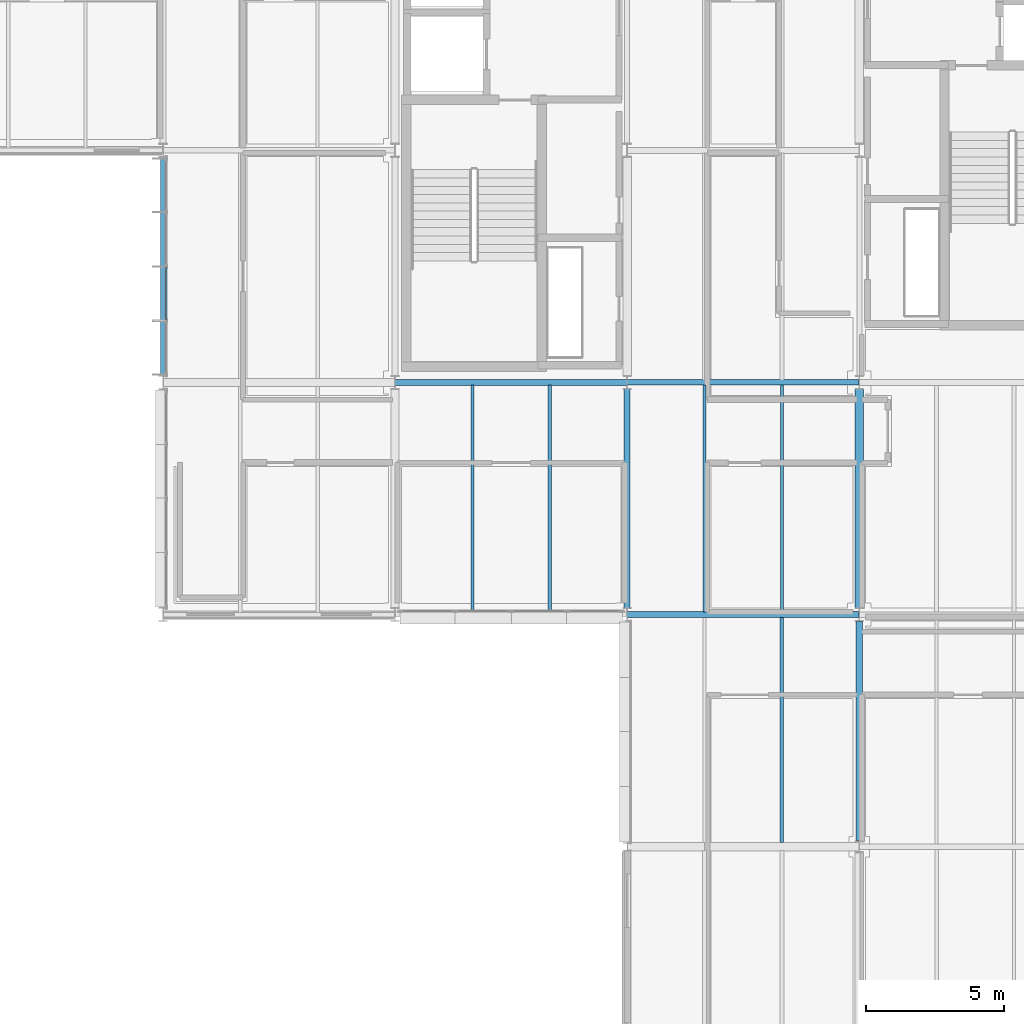
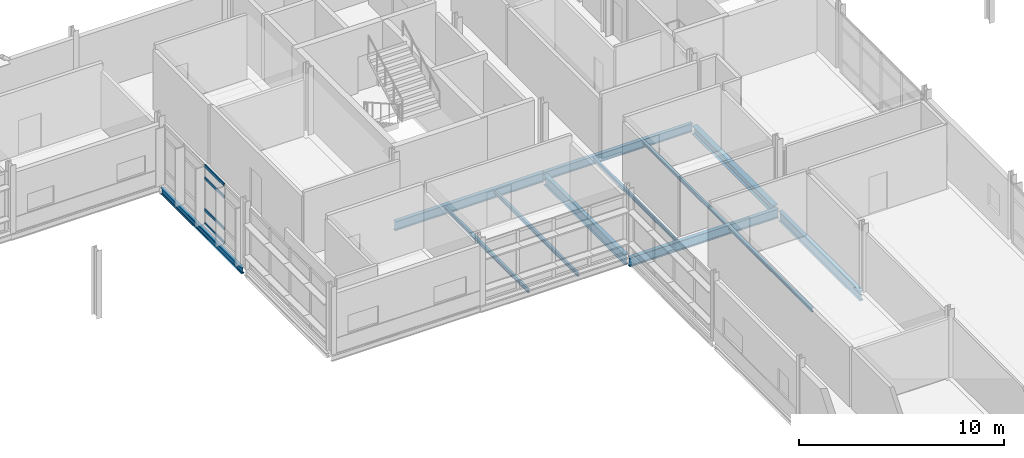
# One storey, part 91 of 131: 12 beams, 4 members, 1 element without a shape of its own.
"""IFC4 building model written with IfcOpenShell, lengths in metres."""

from ifc_helpers import new_model, si_unit, direction, frame, origin, origin_2d, place, context, subcontext, project, spatial, hollow_rectangle, i_section, extrude, material, material_profile, profile_set, type_object, element, aggregate, save


model = new_model("IFC4")

# Units and contexts
model_context = context("Model", 3, precision=1e-05, world=origin(), true_north=direction((0.0, 1.0)))
body_context = subcontext(model_context, "Body", "Model", "MODEL_VIEW")
ifc_project = project(units=[si_unit("LENGTHUNIT", "METRE"), si_unit("AREAUNIT", "SQUARE_METRE"), si_unit("VOLUMEUNIT", "CUBIC_METRE"), si_unit("PLANEANGLEUNIT", "RADIAN"), si_unit("MASSUNIT", "GRAM", prefix="KILO")], contexts=[model_context])

# Site, building, storey
site_placement = place(None, origin())
site = spatial("IfcSite", under=ifc_project, at=site_placement, CompositionType="ELEMENT")
building_placement = place(site_placement, origin())
building = spatial("IfcBuilding", under=site, at=building_placement, Name="Mersafa Astral City Hall", CompositionType="ELEMENT")
storey_placement = place(building_placement, frame((0.0, 0.0, 13.949951171875)))
storey = spatial("IfcBuildingStorey", under=building, at=storey_placement, Name="L03", CompositionType="ELEMENT", Elevation=13.949951171875)

# Curtain wall, members
ifc_material_1 = material(Name="Anodised bronze aluminium framing", Category="aluminium")
curtain_wall_type = type_object("IfcCurtainWallType", Name="ENV-CW-5", PredefinedType="USERDEFINED", material=ifc_material_1)
curtain_wall_placement = place(storey_placement, origin())
curtain_wall = element("IfcCurtainWall", 1, at=curtain_wall_placement, inside=storey, type_object=curtain_wall_type, Name="L03 Unitised solar curtain wall 160", ObjectType="UNITISED CURTAIN WALL", PredefinedType="USERDEFINED")
ifc_material_profile_1 = material_profile(ifc_material_1, hollow_rectangle(XDim=0.06005859375, YDim=0.159912109375, WallThickness=0.00390625, at=origin_2d()), Name="RHS 60x160x4")
ifc_profile_set_1 = profile_set([ifc_material_profile_1], Name="Anodised bronze aluminium framing")
member_type = type_object("IfcMemberType", Name="ENV-CW-TRN-2", PredefinedType="USERDEFINED", material=ifc_profile_set_1)
member_1_placement = place(storey_placement, frame((142.919921875, 113.3701171875, 0.028076171875), z_axis=(0.0, -1.0, 0.0), x_axis=(1.0, 0.0, 0.0)))
member_1 = element("IfcMember", 2, at=member_1_placement, type_object=member_type, Name="CW-5 transom 3.1", ObjectType="TRANSOM", PredefinedType="USERDEFINED", context=body_context, shape_type="SweptSolid", body=[
    extrude(hollow_rectangle(XDim=0.06005859375, YDim=0.159912109375, WallThickness=0.00390625, at=origin_2d()), origin(), (0.0, 0.0, 1.0), 1.9091796875),
])
member_2_placement = place(storey_placement, frame((142.919921875, 113.3701171875, 0.85009765625), z_axis=(0.0, -1.0, 0.0), x_axis=(1.0, 0.0, 0.0)))
member_2 = element("IfcMember", 3, at=member_2_placement, type_object=member_type, Name="CW-5 transom 3.2", ObjectType="TRANSOM", PredefinedType="USERDEFINED", context=body_context, shape_type="SweptSolid", body=[
    extrude(hollow_rectangle(XDim=0.06005859375, YDim=0.159912109375, WallThickness=0.00390625, at=origin_2d()), origin(), (0.0, 0.0, 1.0), 1.9091796875),
])
member_3_placement = place(storey_placement, frame((142.919921875, 113.3701171875, 2.75), z_axis=(0.0, -1.0, 0.0), x_axis=(1.0, 0.0, 0.0)))
member_3 = element("IfcMember", 4, at=member_3_placement, type_object=member_type, Name="CW-5 transom 3.3", ObjectType="TRANSOM", PredefinedType="USERDEFINED", context=body_context, shape_type="SweptSolid", body=[
    extrude(hollow_rectangle(XDim=0.06005859375, YDim=0.159912109375, WallThickness=0.00390625, at=origin_2d()), origin(), (0.0, 0.0, 1.0), 1.9091796875),
])
member_4_placement = place(storey_placement, frame((142.919921875, 113.3701171875, 3.47216796875), z_axis=(0.0, -1.0, 0.0), x_axis=(1.0, 0.0, 0.0)))
member_4 = element("IfcMember", 5, at=member_4_placement, type_object=member_type, Name="CW-5 transom 3.4", ObjectType="TRANSOM", PredefinedType="USERDEFINED", context=body_context, shape_type="SweptSolid", body=[
    extrude(hollow_rectangle(XDim=0.06005859375, YDim=0.159912109375, WallThickness=0.00390625, at=origin_2d()), origin(), (0.0, 0.0, 1.0), 1.9091796875),
])
aggregate(curtain_wall, [member_1, member_2, member_3, member_4])

# Beams
ifc_material_2 = material(Name="Steel S355", Category="steel")
ifc_material_profile_2 = material_profile(ifc_material_2, i_section(OverallWidth=0.300048828125, OverallDepth=0.489990234375, WebThickness=0.011962890625, FlangeThickness=0.02294921875, FilletRadius=0.027099609375, at=origin_2d()), Name="HEA 500")
ifc_profile_set_2 = profile_set([ifc_material_profile_2], Name="Steel S355")
beam_type_1 = type_object("IfcBeamType", Name="STR-BM-HEA500", PredefinedType="BEAM", material=ifc_profile_set_2)
beam_1_placement = place(storey_placement, frame((168.0, 101.044921875, -0.445068359375), z_axis=(0.0, 1.0, 0.0), x_axis=(-1.0, 0.0, 0.0)))
element("IfcBeam", 6, at=beam_1_placement, inside=storey, type_object=beam_type_1, Name="L03 Primary girder Y 20-12", PredefinedType="BEAM", context=body_context, shape_type="SweptSolid", body=[
    extrude(i_section(OverallWidth=0.300048828125, OverallDepth=0.489990234375, WebThickness=0.011962890625, FlangeThickness=0.02294921875, FilletRadius=0.027099609375, at=origin_2d()), origin(), (0.0, 0.0, 1.0), 7.91015625),
])
ifc_material_profile_3 = material_profile(ifc_material_2, i_section(OverallWidth=0.199951171875, OverallDepth=0.5, WebThickness=0.01025390625, FlangeThickness=0.01611328125, FilletRadius=0.02099609375, at=origin_2d()), Name="IPE 500")
ifc_profile_set_3 = profile_set([ifc_material_profile_3], Name="Steel S355")
beam_type_2 = type_object("IfcBeamType", Name="STR-BM-IPE500", PredefinedType="BEAM", material=ifc_profile_set_3)
beam_2_placement = place(storey_placement, frame((159.60302734375, 109.199951171875, -0.449951171875), z_axis=(1.0, 0.0, 0.0), x_axis=(0.0, 1.0, 0.0)))
element("IfcBeam", 7, at=beam_2_placement, inside=storey, type_object=beam_type_2, Name="L03 Primary girder X 19-13", PredefinedType="BEAM", context=body_context, shape_type="SweptSolid", body=[
    extrude(i_section(OverallWidth=0.199951171875, OverallDepth=0.5, WebThickness=0.01025390625, FlangeThickness=0.01611328125, FilletRadius=0.02099609375, at=origin_2d()), origin(), (0.0, 0.0, 1.0), 8.39404296875),
])
ifc_material_profile_4 = material_profile(ifc_material_2, i_section(OverallWidth=0.2099609375, OverallDepth=0.550048828125, WebThickness=0.010986328125, FlangeThickness=0.01708984375, FilletRadius=0.02392578125, at=origin_2d()), Name="IPE 550")
ifc_profile_set_4 = profile_set([ifc_material_profile_4], Name="Steel S355")
beam_type_3 = type_object("IfcBeamType", Name="STR-BM-IPE550", PredefinedType="BEAM", material=ifc_profile_set_4)
for number, where, z_axis, x_axis, name in (
    (8, (159.60302734375, 100.800048828125, -0.474853515625), (1.0, 0.0, 0.0), (0.0, 1.0, 0.0), "L03 Primary girder X 19-12"),
    (9, (151.202880859375, 109.199951171875, -0.474853515625), (1.0, 0.0, 0.0), (0.0, 1.0, 0.0), "L03 Primary girder X 18-13"),
):
    element("IfcBeam", number, at=place(storey_placement, frame(where, z_axis=z_axis, x_axis=x_axis)), inside=storey, type_object=beam_type_3, Name=name, PredefinedType="BEAM", context=body_context, shape_type="SweptSolid", body=[
        extrude(i_section(OverallWidth=0.2099609375, OverallDepth=0.550048828125, WebThickness=0.010986328125, FlangeThickness=0.01708984375, FilletRadius=0.02392578125, at=origin_2d()), origin(), (0.0, 0.0, 1.0), 8.39404296875),
    ])
ifc_material_profile_5 = material_profile(ifc_material_2, i_section(OverallWidth=0.219970703125, OverallDepth=0.60009765625, WebThickness=0.011962890625, FlangeThickness=0.01904296875, FilletRadius=0.02392578125, at=origin_2d()), Name="IPE 600")
ifc_profile_set_5 = profile_set([ifc_material_profile_5], Name="Steel S355")
beam_type_4 = type_object("IfcBeamType", Name="STR-BM-IPE600", PredefinedType="BEAM", material=ifc_profile_set_5)
beam_3_placement = place(storey_placement, frame((159.60009765625, 101.044921875, -0.5), z_axis=(0.0, 1.0, 0.0), x_axis=(-1.0, 0.0, 0.0)))
element("IfcBeam", 10, at=beam_3_placement, inside=storey, type_object=beam_type_4, Name="L03 Primary girder Y 19-12", PredefinedType="BEAM", context=body_context, shape_type="SweptSolid", body=[
    extrude(i_section(OverallWidth=0.219970703125, OverallDepth=0.60009765625, WebThickness=0.011962890625, FlangeThickness=0.01904296875, FilletRadius=0.02392578125, at=origin_2d()), origin(), (0.0, 0.0, 1.0), 7.91015625),
])
beam_4_placement = place(storey_placement, frame((168.0, 92.6201171875, -0.5), z_axis=(0.0, 1.0, 0.0), x_axis=(-1.0, 0.0, 0.0)))
element("IfcBeam", 11, at=beam_4_placement, inside=storey, type_object=beam_type_4, Name="L03 Primary girder Y 20-11", PredefinedType="BEAM", context=body_context, shape_type="SweptSolid", body=[
    extrude(i_section(OverallWidth=0.219970703125, OverallDepth=0.60009765625, WebThickness=0.011962890625, FlangeThickness=0.01904296875, FilletRadius=0.02392578125, at=origin_2d()), origin(), (0.0, 0.0, 1.0), 7.934814453125),
])
ifc_material_profile_6 = material_profile(ifc_material_2, i_section(OverallWidth=0.110107421875, OverallDepth=0.219970703125, WebThickness=0.005859375, FlangeThickness=0.00927734375, FilletRadius=0.011962890625, at=origin_2d()), Name="IPE 220")
ifc_profile_set_6 = profile_set([ifc_material_profile_6], Name="Steel S355")
beam_type_5 = type_object("IfcBeamType", Name="STR-BM-JOIST-IPE220", PredefinedType="JOIST", material=ifc_profile_set_6)
for number, where, z_axis, x_axis, name in (
    (12, (162.39990234375, 100.89990234375, -0.31005859375), (0.0, 1.0, 0.0), (-1.0, 0.0, 0.0), "L03 Composite secondary floor joist 664"),
    (13, (165.199951171875, 100.89990234375, -0.31005859375), (0.0, 1.0, 0.0), (-1.0, 0.0, 0.0), "L03 Composite secondary floor joist 665"),
):
    element("IfcBeam", number, at=place(storey_placement, frame(where, z_axis=z_axis, x_axis=x_axis)), inside=storey, type_object=beam_type_5, Name=name, PredefinedType="JOIST", context=body_context, shape_type="SweptSolid", body=[
        extrude(i_section(OverallWidth=0.110107421875, OverallDepth=0.219970703125, WebThickness=0.005859375, FlangeThickness=0.00927734375, FilletRadius=0.011962890625, at=origin_2d()), origin(), (0.0, 0.0, 1.0), 8.205078125),
    ])
ifc_material_profile_7 = material_profile(ifc_material_2, i_section(OverallWidth=0.1201171875, OverallDepth=0.239990234375, WebThickness=0.006103515625, FlangeThickness=0.009765625, FilletRadius=0.014892578125, at=origin_2d()), Name="IPE 240")
ifc_profile_set_7 = profile_set([ifc_material_profile_7], Name="Steel S355")
beam_type_6 = type_object("IfcBeamType", Name="STR-BM-JOIST-IPE240", PredefinedType="JOIST", material=ifc_profile_set_7)
for number, where, z_axis, x_axis, name in (
    (14, (154.0, 100.8798828125, -0.320068359375), (0.0, 1.0, 0.0), (-1.0, 0.0, 0.0), "L03 Composite secondary floor joist 650"),
    (15, (156.800048828125, 100.8798828125, -0.320068359375), (0.0, 1.0, 0.0), (-1.0, 0.0, 0.0), "L03 Composite secondary floor joist 651"),
):
    element("IfcBeam", number, at=place(storey_placement, frame(where, z_axis=z_axis, x_axis=x_axis)), inside=storey, type_object=beam_type_6, Name=name, PredefinedType="JOIST", context=body_context, shape_type="SweptSolid", body=[
        extrude(i_section(OverallWidth=0.1201171875, OverallDepth=0.239990234375, WebThickness=0.006103515625, FlangeThickness=0.009765625, FilletRadius=0.014892578125, at=origin_2d()), origin(), (0.0, 0.0, 1.0), 8.22021484375),
    ])
beam_5_placement = place(storey_placement, frame((165.199951171875, 92.544921875, -0.320068359375), z_axis=(0.0, 1.0, 0.0), x_axis=(-1.0, 0.0, 0.0)))
element("IfcBeam", 16, at=beam_5_placement, inside=storey, type_object=beam_type_6, Name="L03 Composite secondary floor joist 663", PredefinedType="JOIST", context=body_context, shape_type="SweptSolid", body=[
    extrude(i_section(OverallWidth=0.1201171875, OverallDepth=0.239990234375, WebThickness=0.006103515625, FlangeThickness=0.009765625, FilletRadius=0.014892578125, at=origin_2d()), origin(), (0.0, 0.0, 1.0), 8.155029296875),
])
ifc_material_profile_8 = material_profile(ifc_material_2, i_section(OverallWidth=0.169921875, OverallDepth=0.360107421875, WebThickness=0.008056640625, FlangeThickness=0.0126953125, FilletRadius=0.01806640625, at=origin_2d()), Name="IPE 360")
ifc_profile_set_8 = profile_set([ifc_material_profile_8], Name="Steel S355")
beam_type_7 = type_object("IfcBeamType", Name="STR-BM-SPANDREL-IPE360", PredefinedType="SPANDREL", material=ifc_profile_set_8)
beam_6_placement = place(storey_placement, frame((142.800048828125, 109.445068359375, -0.3798828125), z_axis=(0.0, 1.0, 0.0), x_axis=(-1.0, 0.0, 0.0)))
element("IfcBeam", 17, at=beam_6_placement, inside=storey, type_object=beam_type_7, Name="L03 Primary girder Y 17-13", PredefinedType="SPANDREL", context=body_context, shape_type="SweptSolid", body=[
    extrude(i_section(OverallWidth=0.169921875, OverallDepth=0.360107421875, WebThickness=0.008056640625, FlangeThickness=0.0126953125, FilletRadius=0.01806640625, at=origin_2d()), origin(), (0.0, 0.0, 1.0), 7.909912109375),
])

save(model, "model.ifc")
